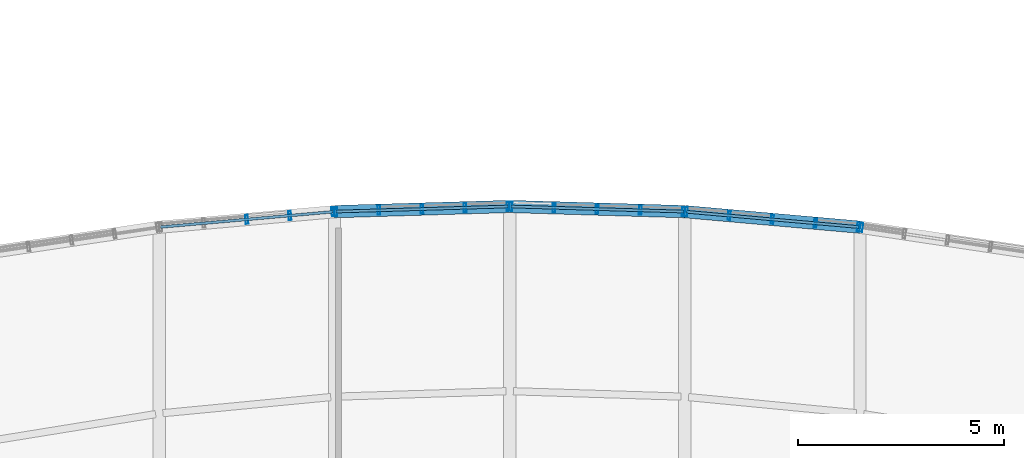
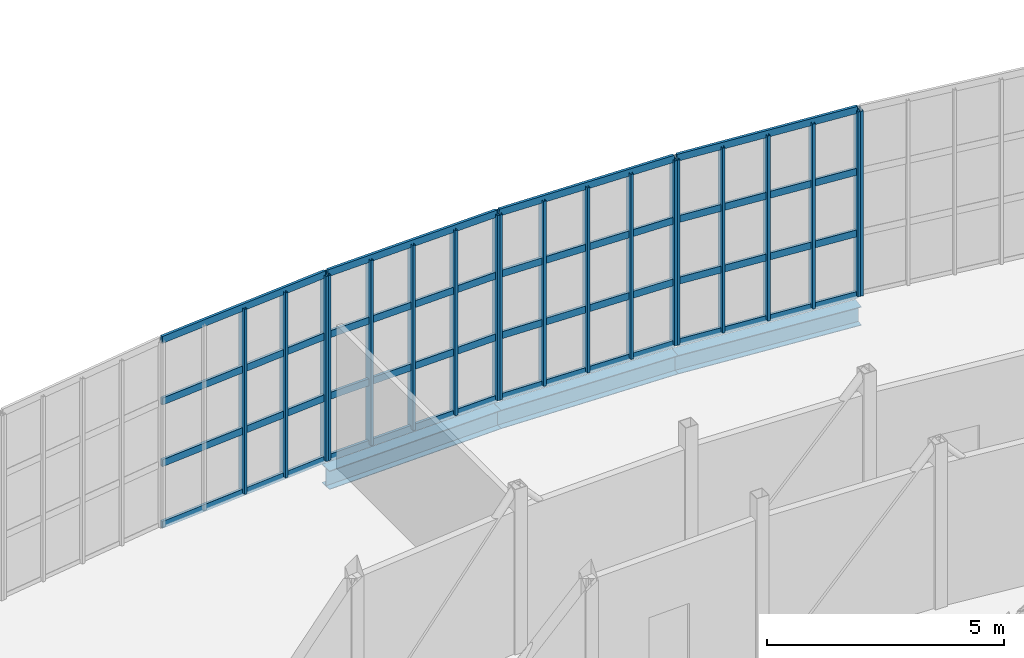
# One storey, part 45 of 86: 35 members, 3 beams, 5 elements without a shape of their own.
"""IFC4 building model written with IfcOpenShell, lengths in metres."""

from ifc_helpers import new_model, si_unit, direction, frame, origin, origin_2d, place, context, subcontext, project, spatial, hollow_rectangle, i_section, extrude, material, material_profile, profile_set, type_object, element, aggregate, save


model = new_model("IFC4")

# Units and contexts
model_context = context("Model", 3, precision=1e-05, world=origin(), true_north=direction((0.0, 1.0)))
body_context = subcontext(model_context, "Body", "Model", "MODEL_VIEW")
ifc_project = project(units=[si_unit("LENGTHUNIT", "METRE"), si_unit("AREAUNIT", "SQUARE_METRE"), si_unit("VOLUMEUNIT", "CUBIC_METRE"), si_unit("PLANEANGLEUNIT", "RADIAN"), si_unit("MASSUNIT", "GRAM", prefix="KILO")], contexts=[model_context])

# Site, building, storey
site_placement = place(None, origin())
site = spatial("IfcSite", under=ifc_project, at=site_placement, CompositionType="ELEMENT")
building_placement = place(site_placement, origin())
building = spatial("IfcBuilding", under=site, at=building_placement, Name="Solvikara Media Centre", CompositionType="ELEMENT")
storey_placement = place(building_placement, frame((0.0, 0.0, 15.0)))
storey = spatial("IfcBuildingStorey", under=building, at=storey_placement, Name="L03", CompositionType="ELEMENT", Elevation=15.0)

# Beams
ifc_material_1 = material(Name="Steel S355JR", Category="steel")
ifc_material_profile_1 = material_profile(ifc_material_1, i_section(OverallWidth=0.300048828125, OverallDepth=0.48193359375, WebThickness=0.010986328125, FlangeThickness=0.014892578125, at=origin_2d()), Name="WF 482x300x11x15")
ifc_profile_set_1 = profile_set([ifc_material_profile_1], Name="Steel S355JR")
beam_type = type_object("IfcBeamType", Name="BM-32", PredefinedType="SPANDREL", material=ifc_profile_set_1)
for number, where, z_axis, x_axis, name in (
    (1, (97.75, 41.341064453125, -0.462890625), (0.99956097871, 0.029628530849, 0.0), (-0.029628530849, 0.99956097871, 0.0), "B-L03-NARC-05"),
    (2, (102.0, 41.467041015625, -0.462890625), (0.99956097871, -0.029628530849, 0.0), (0.029628530849, 0.99956097871, 0.0), "B-L03-NARC-06"),
):
    element("IfcBeam", number, at=place(storey_placement, frame(where, z_axis=z_axis, x_axis=x_axis)), inside=storey, type_object=beam_type, Name=name, PredefinedType="SPANDREL", context=body_context, shape_type="SweptSolid", body=[
        extrude(i_section(OverallWidth=0.300048828125, OverallDepth=0.48193359375, WebThickness=0.010986328125, FlangeThickness=0.014892578125, at=origin_2d()), origin(), (0.0, 0.0, 1.0), 4.251953125),
    ])
beam_placement = place(storey_placement, frame((106.25, 41.341064453125, -0.462890625), z_axis=(0.996089667749, -0.088348026597, 0.0), x_axis=(0.088348026597, 0.996089667749, 0.0)))
element("IfcBeam", 3, at=beam_placement, inside=storey, type_object=beam_type, Name="B-L03-NARC-07", PredefinedType="SPANDREL", context=body_context, shape_type="SweptSolid", body=[
    extrude(i_section(OverallWidth=0.300048828125, OverallDepth=0.48193359375, WebThickness=0.010986328125, FlangeThickness=0.014892578125, at=origin_2d()), origin(), (0.0, 0.0, 1.0), 4.2666015625),
])

# Curtain wall, members
ifc_material_2 = material(Name="Anodised aluminium EN AW-6063", Category="aluminium")
curtain_wall_type = type_object("IfcCurtainWallType", Name="CW-02", PredefinedType="NOTDEFINED", material=ifc_material_2)
curtain_wall_1_placement = place(storey_placement, origin())
curtain_wall_1 = element("IfcCurtainWall", 4, at=curtain_wall_1_placement, inside=storey, type_object=curtain_wall_type, Name="CW-L03-NARC-04", PredefinedType="NOTDEFINED")
ifc_material_profile_2 = material_profile(ifc_material_2, hollow_rectangle(XDim=0.06494140625, YDim=0.219970703125, WallThickness=0.00390625, at=origin_2d()), Name="ALU-M 65x220x4")
ifc_profile_set_2 = profile_set([ifc_material_profile_2], Name="Anodised aluminium EN AW-6063")
member_type_1 = type_object("IfcMemberType", Name="MF-01", PredefinedType="MULLION", material=ifc_profile_set_2)
member_1_placement = place(storey_placement, frame((95.625, 41.152099609375, 0.02001953125), z_axis=(0.0, 0.0, 1.0), x_axis=(0.99608438842, 0.088407528781, 0.0)))
member_1 = element("IfcMember", 5, at=member_1_placement, type_object=member_type_1, Name="CW-L03-NARC-04-M02", PredefinedType="MULLION", context=body_context, shape_type="SweptSolid", body=[
    extrude(hollow_rectangle(XDim=0.06494140625, YDim=0.219970703125, WallThickness=0.00390625, at=origin_2d()), origin(), (0.0, 0.0, 1.0), 4.760009765625),
])
member_2_placement = place(storey_placement, frame((96.669921875, 41.2451171875, 0.02001953125), z_axis=(0.0, 0.0, 1.0), x_axis=(0.99608438842, 0.088407528781, 0.0)))
member_2 = element("IfcMember", 6, at=member_2_placement, type_object=member_type_1, Name="CW-L03-NARC-04-M03", PredefinedType="MULLION", context=body_context, shape_type="SweptSolid", body=[
    extrude(hollow_rectangle(XDim=0.06494140625, YDim=0.219970703125, WallThickness=0.00390625, at=origin_2d()), origin(), (0.0, 0.0, 1.0), 4.760009765625),
])
member_3_placement = place(storey_placement, frame((97.715087890625, 41.337890625, 0.02001953125), z_axis=(0.0, 0.0, 1.0), x_axis=(0.99608438842, 0.088407528781, 0.0)))
member_3 = element("IfcMember", 7, at=member_3_placement, type_object=member_type_1, Name="CW-L03-NARC-04-M04", PredefinedType="MULLION", context=body_context, shape_type="SweptSolid", body=[
    extrude(hollow_rectangle(XDim=0.06494140625, YDim=0.219970703125, WallThickness=0.00390625, at=origin_2d()), origin(), (0.0, 0.0, 1.0), 4.760009765625),
])

curtain_wall_2_placement = place(storey_placement, origin())
curtain_wall_2 = element("IfcCurtainWall", 8, at=curtain_wall_2_placement, inside=storey, type_object=curtain_wall_type, Name="CW-L03-NARC-05", PredefinedType="NOTDEFINED")
member_4_placement = place(storey_placement, frame((97.784912109375, 41.342041015625, 0.02001953125), z_axis=(0.0, 0.0, 1.0), x_axis=(0.999560377741, 0.02964879847, 0.0)))
member_4 = element("IfcMember", 9, at=member_4_placement, type_object=member_type_1, Name="CW-L03-NARC-05-M00", PredefinedType="MULLION", context=body_context, shape_type="SweptSolid", body=[
    extrude(hollow_rectangle(XDim=0.06494140625, YDim=0.219970703125, WallThickness=0.00390625, at=origin_2d()), origin(), (0.0, 0.0, 1.0), 4.760009765625),
])
member_5_placement = place(storey_placement, frame((98.830078125, 41.373046875, 0.02001953125), z_axis=(0.0, 0.0, 1.0), x_axis=(0.999560377741, 0.02964879847, 0.0)))
member_5 = element("IfcMember", 10, at=member_5_placement, type_object=member_type_1, Name="CW-L03-NARC-05-M01", PredefinedType="MULLION", context=body_context, shape_type="SweptSolid", body=[
    extrude(hollow_rectangle(XDim=0.06494140625, YDim=0.219970703125, WallThickness=0.00390625, at=origin_2d()), origin(), (0.0, 0.0, 1.0), 4.760009765625),
])
member_6_placement = place(storey_placement, frame((99.875, 41.404052734375, 0.02001953125), z_axis=(0.0, 0.0, 1.0), x_axis=(0.999560377741, 0.02964879847, 0.0)))
member_6 = element("IfcMember", 11, at=member_6_placement, type_object=member_type_1, Name="CW-L03-NARC-05-M02", PredefinedType="MULLION", context=body_context, shape_type="SweptSolid", body=[
    extrude(hollow_rectangle(XDim=0.06494140625, YDim=0.219970703125, WallThickness=0.00390625, at=origin_2d()), origin(), (0.0, 0.0, 1.0), 4.760009765625),
])
member_7_placement = place(storey_placement, frame((100.919921875, 41.43505859375, 0.02001953125), z_axis=(0.0, 0.0, 1.0), x_axis=(0.999560377741, 0.02964879847, 0.0)))
member_7 = element("IfcMember", 12, at=member_7_placement, type_object=member_type_1, Name="CW-L03-NARC-05-M03", PredefinedType="MULLION", context=body_context, shape_type="SweptSolid", body=[
    extrude(hollow_rectangle(XDim=0.06494140625, YDim=0.219970703125, WallThickness=0.00390625, at=origin_2d()), origin(), (0.0, 0.0, 1.0), 4.760009765625),
])
member_8_placement = place(storey_placement, frame((101.965087890625, 41.466064453125, 0.02001953125), z_axis=(0.0, 0.0, 1.0), x_axis=(0.999560377741, 0.02964879847, 0.0)))
member_8 = element("IfcMember", 13, at=member_8_placement, type_object=member_type_1, Name="CW-L03-NARC-05-M04", PredefinedType="MULLION", context=body_context, shape_type="SweptSolid", body=[
    extrude(hollow_rectangle(XDim=0.06494140625, YDim=0.219970703125, WallThickness=0.00390625, at=origin_2d()), origin(), (0.0, 0.0, 1.0), 4.760009765625),
])

curtain_wall_3_placement = place(storey_placement, origin())
curtain_wall_3 = element("IfcCurtainWall", 14, at=curtain_wall_3_placement, inside=storey, type_object=curtain_wall_type, Name="CW-L03-NARC-06", PredefinedType="NOTDEFINED")
member_9_placement = place(storey_placement, frame((102.034912109375, 41.466064453125, 0.02001953125), z_axis=(0.0, 0.0, 1.0), x_axis=(0.999560377741, -0.02964879847, 0.0)))
member_9 = element("IfcMember", 15, at=member_9_placement, type_object=member_type_1, Name="CW-L03-NARC-06-M00", PredefinedType="MULLION", context=body_context, shape_type="SweptSolid", body=[
    extrude(hollow_rectangle(XDim=0.06494140625, YDim=0.219970703125, WallThickness=0.00390625, at=origin_2d()), origin(), (0.0, 0.0, 1.0), 4.760009765625),
])
member_10_placement = place(storey_placement, frame((103.080078125, 41.43505859375, 0.02001953125), z_axis=(0.0, 0.0, 1.0), x_axis=(0.999560377741, -0.02964879847, 0.0)))
member_10 = element("IfcMember", 16, at=member_10_placement, type_object=member_type_1, Name="CW-L03-NARC-06-M01", PredefinedType="MULLION", context=body_context, shape_type="SweptSolid", body=[
    extrude(hollow_rectangle(XDim=0.06494140625, YDim=0.219970703125, WallThickness=0.00390625, at=origin_2d()), origin(), (0.0, 0.0, 1.0), 4.760009765625),
])
member_11_placement = place(storey_placement, frame((104.125, 41.404052734375, 0.02001953125), z_axis=(0.0, 0.0, 1.0), x_axis=(0.999560377741, -0.02964879847, 0.0)))
member_11 = element("IfcMember", 17, at=member_11_placement, type_object=member_type_1, Name="CW-L03-NARC-06-M02", PredefinedType="MULLION", context=body_context, shape_type="SweptSolid", body=[
    extrude(hollow_rectangle(XDim=0.06494140625, YDim=0.219970703125, WallThickness=0.00390625, at=origin_2d()), origin(), (0.0, 0.0, 1.0), 4.760009765625),
])
member_12_placement = place(storey_placement, frame((105.169921875, 41.373046875, 0.02001953125), z_axis=(0.0, 0.0, 1.0), x_axis=(0.999560377741, -0.02964879847, 0.0)))
member_12 = element("IfcMember", 18, at=member_12_placement, type_object=member_type_1, Name="CW-L03-NARC-06-M03", PredefinedType="MULLION", context=body_context, shape_type="SweptSolid", body=[
    extrude(hollow_rectangle(XDim=0.06494140625, YDim=0.219970703125, WallThickness=0.00390625, at=origin_2d()), origin(), (0.0, 0.0, 1.0), 4.760009765625),
])
member_13_placement = place(storey_placement, frame((106.215087890625, 41.342041015625, 0.02001953125), z_axis=(0.0, 0.0, 1.0), x_axis=(0.999560377741, -0.02964879847, 0.0)))
member_13 = element("IfcMember", 19, at=member_13_placement, type_object=member_type_1, Name="CW-L03-NARC-06-M04", PredefinedType="MULLION", context=body_context, shape_type="SweptSolid", body=[
    extrude(hollow_rectangle(XDim=0.06494140625, YDim=0.219970703125, WallThickness=0.00390625, at=origin_2d()), origin(), (0.0, 0.0, 1.0), 4.760009765625),
])

curtain_wall_4_placement = place(storey_placement, origin())
curtain_wall_4 = element("IfcCurtainWall", 20, at=curtain_wall_4_placement, inside=storey, type_object=curtain_wall_type, Name="CW-L03-NARC-07", PredefinedType="NOTDEFINED")
member_14_placement = place(storey_placement, frame((106.284912109375, 41.337890625, 0.02001953125), z_axis=(0.0, 0.0, 1.0), x_axis=(0.99608438842, -0.088407528781, 0.0)))
member_14 = element("IfcMember", 21, at=member_14_placement, type_object=member_type_1, Name="CW-L03-NARC-07-M00", PredefinedType="MULLION", context=body_context, shape_type="SweptSolid", body=[
    extrude(hollow_rectangle(XDim=0.06494140625, YDim=0.219970703125, WallThickness=0.00390625, at=origin_2d()), origin(), (0.0, 0.0, 1.0), 4.760009765625),
])
member_15_placement = place(storey_placement, frame((107.330078125, 41.2451171875, 0.02001953125), z_axis=(0.0, 0.0, 1.0), x_axis=(0.99608438842, -0.088407528781, 0.0)))
member_15 = element("IfcMember", 22, at=member_15_placement, type_object=member_type_1, Name="CW-L03-NARC-07-M01", PredefinedType="MULLION", context=body_context, shape_type="SweptSolid", body=[
    extrude(hollow_rectangle(XDim=0.06494140625, YDim=0.219970703125, WallThickness=0.00390625, at=origin_2d()), origin(), (0.0, 0.0, 1.0), 4.760009765625),
])
member_16_placement = place(storey_placement, frame((108.375, 41.153076171875, 0.02001953125), z_axis=(0.0, 0.0, 1.0), x_axis=(0.99608438842, -0.088407528781, 0.0)))
member_16 = element("IfcMember", 23, at=member_16_placement, type_object=member_type_1, Name="CW-L03-NARC-07-M02", PredefinedType="MULLION", context=body_context, shape_type="SweptSolid", body=[
    extrude(hollow_rectangle(XDim=0.06494140625, YDim=0.219970703125, WallThickness=0.00390625, at=origin_2d()), origin(), (0.0, 0.0, 1.0), 4.760009765625),
])
member_17_placement = place(storey_placement, frame((109.419921875, 41.06005859375, 0.02001953125), z_axis=(0.0, 0.0, 1.0), x_axis=(0.99608438842, -0.088407528781, 0.0)))
member_17 = element("IfcMember", 24, at=member_17_placement, type_object=member_type_1, Name="CW-L03-NARC-07-M03", PredefinedType="MULLION", context=body_context, shape_type="SweptSolid", body=[
    extrude(hollow_rectangle(XDim=0.06494140625, YDim=0.219970703125, WallThickness=0.00390625, at=origin_2d()), origin(), (0.0, 0.0, 1.0), 4.760009765625),
])
member_18_placement = place(storey_placement, frame((110.465087890625, 40.967041015625, 0.02001953125), z_axis=(0.0, 0.0, 1.0), x_axis=(0.99608438842, -0.088407528781, 0.0)))
member_18 = element("IfcMember", 25, at=member_18_placement, type_object=member_type_1, Name="CW-L03-NARC-07-M04", PredefinedType="MULLION", context=body_context, shape_type="SweptSolid", body=[
    extrude(hollow_rectangle(XDim=0.06494140625, YDim=0.219970703125, WallThickness=0.00390625, at=origin_2d()), origin(), (0.0, 0.0, 1.0), 4.760009765625),
])

# Curtain wall, member
curtain_wall_5_placement = place(storey_placement, origin())
curtain_wall_5 = element("IfcCurtainWall", 26, at=curtain_wall_5_placement, inside=storey, type_object=curtain_wall_type, Name="CW-L03-NARC-08", PredefinedType="NOTDEFINED")
member_19_placement = place(storey_placement, frame((110.534912109375, 40.958984375, 0.02001953125), z_axis=(0.0, 0.0, 1.0), x_axis=(0.989005541908, -0.147878457102, 0.0)))
member_19 = element("IfcMember", 27, at=member_19_placement, type_object=member_type_1, Name="CW-L03-NARC-08-M00", PredefinedType="MULLION", context=body_context, shape_type="SweptSolid", body=[
    extrude(hollow_rectangle(XDim=0.06494140625, YDim=0.219970703125, WallThickness=0.00390625, at=origin_2d()), origin(), (0.0, 0.0, 1.0), 4.760009765625),
])
aggregate(curtain_wall_5, [member_19])

# Member
ifc_material_profile_3 = material_profile(ifc_material_2, hollow_rectangle(XDim=0.06494140625, YDim=0.179931640625, WallThickness=0.00341796875, at=origin_2d()), Name="ALU-T 65x180x3.5")
ifc_profile_set_3 = profile_set([ifc_material_profile_3], Name="Anodised aluminium EN AW-6063")
member_type_2 = type_object("IfcMemberType", Name="MF-07", PredefinedType="USERDEFINED", material=ifc_profile_set_3)
member_20_placement = place(storey_placement, frame((93.534912109375, 40.967041015625, 0.02001953125), z_axis=(0.996087790013, 0.08836919478, 0.0), x_axis=(-0.08836919478, 0.996087790013, 0.0)))
member_20 = element("IfcMember", 28, at=member_20_placement, type_object=member_type_2, Name="CW-L03-NARC-04-T00", ObjectType="TRANSOM", PredefinedType="USERDEFINED", context=body_context, shape_type="SweptSolid", body=[
    extrude(hollow_rectangle(XDim=0.06494140625, YDim=0.179931640625, WallThickness=0.00341796875, at=origin_2d()), origin(), (0.0, 0.0, 1.0), 4.196533203125),
])

member_21_placement = place(storey_placement, frame((93.534912109375, 40.967041015625, 1.60693359375), z_axis=(0.996087790013, 0.08836919478, 0.0), x_axis=(-0.08836919478, 0.996087790013, 0.0)))
member_21 = element("IfcMember", 29, at=member_21_placement, type_object=member_type_2, Name="CW-L03-NARC-04-T01", ObjectType="TRANSOM", PredefinedType="USERDEFINED", context=body_context, shape_type="SweptSolid", body=[
    extrude(hollow_rectangle(XDim=0.06494140625, YDim=0.179931640625, WallThickness=0.00341796875, at=origin_2d()), origin(), (0.0, 0.0, 1.0), 4.196533203125),
])

member_22_placement = place(storey_placement, frame((93.534912109375, 40.967041015625, 3.193115234375), z_axis=(0.996087790013, 0.08836919478, 0.0), x_axis=(-0.08836919478, 0.996087790013, 0.0)))
member_22 = element("IfcMember", 30, at=member_22_placement, type_object=member_type_2, Name="CW-L03-NARC-04-T02", ObjectType="TRANSOM", PredefinedType="USERDEFINED", context=body_context, shape_type="SweptSolid", body=[
    extrude(hollow_rectangle(XDim=0.06494140625, YDim=0.179931640625, WallThickness=0.00341796875, at=origin_2d()), origin(), (0.0, 0.0, 1.0), 4.196533203125),
])

member_23_placement = place(storey_placement, frame((93.534912109375, 40.967041015625, 4.780029296875), z_axis=(0.996087790013, 0.08836919478, 0.0), x_axis=(-0.08836919478, 0.996087790013, 0.0)))
member_23 = element("IfcMember", 31, at=member_23_placement, type_object=member_type_2, Name="CW-L03-NARC-04-T03", ObjectType="TRANSOM", PredefinedType="USERDEFINED", context=body_context, shape_type="SweptSolid", body=[
    extrude(hollow_rectangle(XDim=0.06494140625, YDim=0.179931640625, WallThickness=0.00341796875, at=origin_2d()), origin(), (0.0, 0.0, 1.0), 4.196533203125),
])

aggregate(curtain_wall_1, [member_1, member_2, member_3, member_20, member_21, member_22, member_23])

member_24_placement = place(storey_placement, frame((97.784912109375, 41.342041015625, 0.02001953125), z_axis=(0.999560152797, 0.029656381125, 0.0), x_axis=(-0.029656381125, 0.999560152797, 0.0)))
member_24 = element("IfcMember", 32, at=member_24_placement, type_object=member_type_2, Name="CW-L03-NARC-05-T00", ObjectType="TRANSOM", PredefinedType="USERDEFINED", context=body_context, shape_type="SweptSolid", body=[
    extrude(hollow_rectangle(XDim=0.06494140625, YDim=0.179931640625, WallThickness=0.00341796875, at=origin_2d()), origin(), (0.0, 0.0, 1.0), 4.18212890625),
])

member_25_placement = place(storey_placement, frame((97.784912109375, 41.342041015625, 1.60693359375), z_axis=(0.999560152797, 0.029656381125, 0.0), x_axis=(-0.029656381125, 0.999560152797, 0.0)))
member_25 = element("IfcMember", 33, at=member_25_placement, type_object=member_type_2, Name="CW-L03-NARC-05-T01", ObjectType="TRANSOM", PredefinedType="USERDEFINED", context=body_context, shape_type="SweptSolid", body=[
    extrude(hollow_rectangle(XDim=0.06494140625, YDim=0.179931640625, WallThickness=0.00341796875, at=origin_2d()), origin(), (0.0, 0.0, 1.0), 4.18212890625),
])

member_26_placement = place(storey_placement, frame((97.784912109375, 41.342041015625, 3.193115234375), z_axis=(0.999560152797, 0.029656381125, 0.0), x_axis=(-0.029656381125, 0.999560152797, 0.0)))
member_26 = element("IfcMember", 34, at=member_26_placement, type_object=member_type_2, Name="CW-L03-NARC-05-T02", ObjectType="TRANSOM", PredefinedType="USERDEFINED", context=body_context, shape_type="SweptSolid", body=[
    extrude(hollow_rectangle(XDim=0.06494140625, YDim=0.179931640625, WallThickness=0.00341796875, at=origin_2d()), origin(), (0.0, 0.0, 1.0), 4.18212890625),
])

member_27_placement = place(storey_placement, frame((97.784912109375, 41.342041015625, 4.780029296875), z_axis=(0.999560152797, 0.029656381125, 0.0), x_axis=(-0.029656381125, 0.999560152797, 0.0)))
member_27 = element("IfcMember", 35, at=member_27_placement, type_object=member_type_2, Name="CW-L03-NARC-05-T03", ObjectType="TRANSOM", PredefinedType="USERDEFINED", context=body_context, shape_type="SweptSolid", body=[
    extrude(hollow_rectangle(XDim=0.06494140625, YDim=0.179931640625, WallThickness=0.00341796875, at=origin_2d()), origin(), (0.0, 0.0, 1.0), 4.18212890625),
])

aggregate(curtain_wall_2, [member_4, member_5, member_6, member_7, member_8, member_24, member_25, member_26, member_27])

member_28_placement = place(storey_placement, frame((102.034912109375, 41.466064453125, 0.02001953125), z_axis=(0.999560152797, -0.029656381125, 0.0), x_axis=(0.029656381125, 0.999560152797, 0.0)))
member_28 = element("IfcMember", 36, at=member_28_placement, type_object=member_type_2, Name="CW-L03-NARC-06-T00", ObjectType="TRANSOM", PredefinedType="USERDEFINED", context=body_context, shape_type="SweptSolid", body=[
    extrude(hollow_rectangle(XDim=0.06494140625, YDim=0.179931640625, WallThickness=0.00341796875, at=origin_2d()), origin(), (0.0, 0.0, 1.0), 4.18212890625),
])

member_29_placement = place(storey_placement, frame((102.034912109375, 41.466064453125, 1.60693359375), z_axis=(0.999560152797, -0.029656381125, 0.0), x_axis=(0.029656381125, 0.999560152797, 0.0)))
member_29 = element("IfcMember", 37, at=member_29_placement, type_object=member_type_2, Name="CW-L03-NARC-06-T01", ObjectType="TRANSOM", PredefinedType="USERDEFINED", context=body_context, shape_type="SweptSolid", body=[
    extrude(hollow_rectangle(XDim=0.06494140625, YDim=0.179931640625, WallThickness=0.00341796875, at=origin_2d()), origin(), (0.0, 0.0, 1.0), 4.18212890625),
])

member_30_placement = place(storey_placement, frame((102.034912109375, 41.466064453125, 3.193115234375), z_axis=(0.999560152797, -0.029656381125, 0.0), x_axis=(0.029656381125, 0.999560152797, 0.0)))
member_30 = element("IfcMember", 38, at=member_30_placement, type_object=member_type_2, Name="CW-L03-NARC-06-T02", ObjectType="TRANSOM", PredefinedType="USERDEFINED", context=body_context, shape_type="SweptSolid", body=[
    extrude(hollow_rectangle(XDim=0.06494140625, YDim=0.179931640625, WallThickness=0.00341796875, at=origin_2d()), origin(), (0.0, 0.0, 1.0), 4.18212890625),
])

member_31_placement = place(storey_placement, frame((102.034912109375, 41.466064453125, 4.780029296875), z_axis=(0.999560152797, -0.029656381125, 0.0), x_axis=(0.029656381125, 0.999560152797, 0.0)))
member_31 = element("IfcMember", 39, at=member_31_placement, type_object=member_type_2, Name="CW-L03-NARC-06-T03", ObjectType="TRANSOM", PredefinedType="USERDEFINED", context=body_context, shape_type="SweptSolid", body=[
    extrude(hollow_rectangle(XDim=0.06494140625, YDim=0.179931640625, WallThickness=0.00341796875, at=origin_2d()), origin(), (0.0, 0.0, 1.0), 4.18212890625),
])

aggregate(curtain_wall_3, [member_9, member_10, member_11, member_12, member_13, member_28, member_29, member_30, member_31])

member_32_placement = place(storey_placement, frame((106.284912109375, 41.337890625, 0.02001953125), z_axis=(0.996087790013, -0.08836919478, 0.0), x_axis=(0.08836919478, 0.996087790013, 0.0)))
member_32 = element("IfcMember", 40, at=member_32_placement, type_object=member_type_2, Name="CW-L03-NARC-07-T00", ObjectType="TRANSOM", PredefinedType="USERDEFINED", context=body_context, shape_type="SweptSolid", body=[
    extrude(hollow_rectangle(XDim=0.06494140625, YDim=0.179931640625, WallThickness=0.00341796875, at=origin_2d()), origin(), (0.0, 0.0, 1.0), 4.196533203125),
])

member_33_placement = place(storey_placement, frame((106.284912109375, 41.337890625, 1.60693359375), z_axis=(0.996087790013, -0.08836919478, 0.0), x_axis=(0.08836919478, 0.996087790013, 0.0)))
member_33 = element("IfcMember", 41, at=member_33_placement, type_object=member_type_2, Name="CW-L03-NARC-07-T01", ObjectType="TRANSOM", PredefinedType="USERDEFINED", context=body_context, shape_type="SweptSolid", body=[
    extrude(hollow_rectangle(XDim=0.06494140625, YDim=0.179931640625, WallThickness=0.00341796875, at=origin_2d()), origin(), (0.0, 0.0, 1.0), 4.196533203125),
])

member_34_placement = place(storey_placement, frame((106.284912109375, 41.337890625, 3.193115234375), z_axis=(0.996087790013, -0.08836919478, 0.0), x_axis=(0.08836919478, 0.996087790013, 0.0)))
member_34 = element("IfcMember", 42, at=member_34_placement, type_object=member_type_2, Name="CW-L03-NARC-07-T02", ObjectType="TRANSOM", PredefinedType="USERDEFINED", context=body_context, shape_type="SweptSolid", body=[
    extrude(hollow_rectangle(XDim=0.06494140625, YDim=0.179931640625, WallThickness=0.00341796875, at=origin_2d()), origin(), (0.0, 0.0, 1.0), 4.196533203125),
])

member_35_placement = place(storey_placement, frame((106.284912109375, 41.337890625, 4.780029296875), z_axis=(0.996087790013, -0.08836919478, 0.0), x_axis=(0.08836919478, 0.996087790013, 0.0)))
member_35 = element("IfcMember", 43, at=member_35_placement, type_object=member_type_2, Name="CW-L03-NARC-07-T03", ObjectType="TRANSOM", PredefinedType="USERDEFINED", context=body_context, shape_type="SweptSolid", body=[
    extrude(hollow_rectangle(XDim=0.06494140625, YDim=0.179931640625, WallThickness=0.00341796875, at=origin_2d()), origin(), (0.0, 0.0, 1.0), 4.196533203125),
])

aggregate(curtain_wall_4, [member_14, member_15, member_16, member_17, member_18, member_32, member_33, member_34, member_35])

save(model, "model.ifc")
